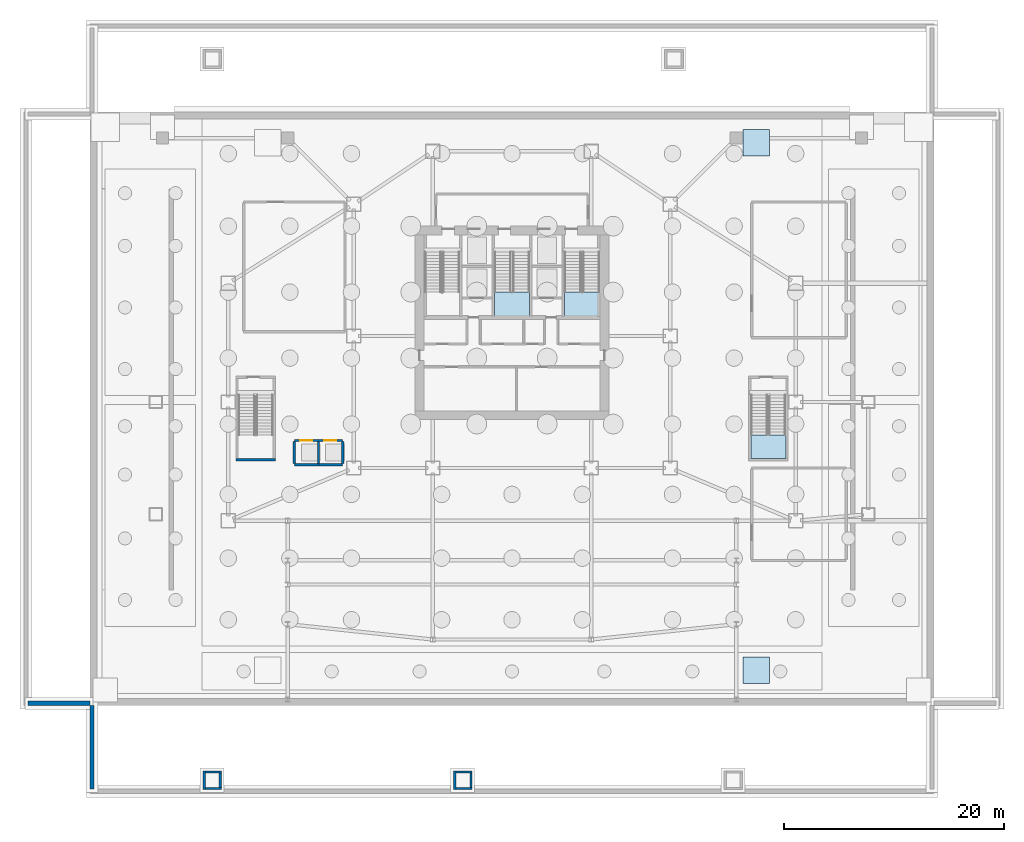
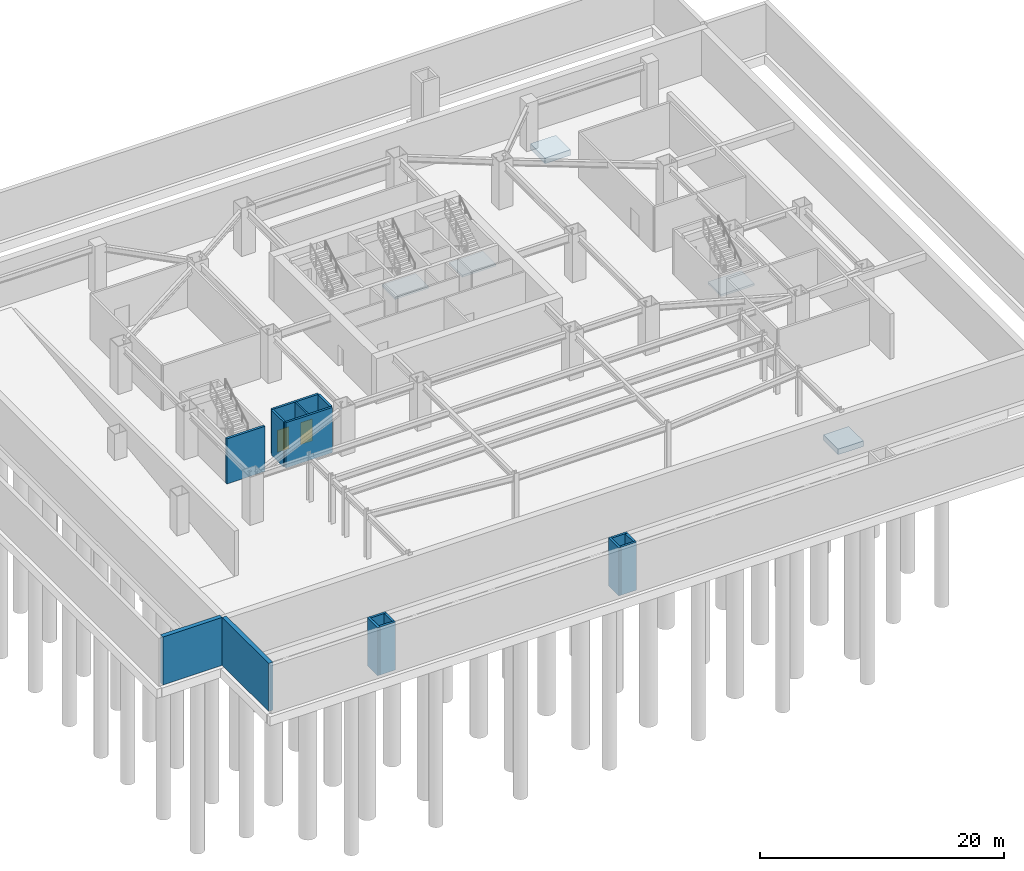
# One storey, part 6 of 15: 16 walls, 5 slabs, 2 doors, 2 openings, 3 elements without a shape of their own.
"""IFC4 building model written with IfcOpenShell, lengths in metres."""

from ifc_helpers import new_model, si_unit, direction, frame, frame_2d, origin, place, context, subcontext, project, spatial, polyline, rectangle, outline, extrude, material, layer, layer_set, type_object, element, fill, aggregate, save


model = new_model("IFC4")

# Units and contexts
model_context = context("Model", 3, precision=1e-05, world=origin(), true_north=direction((0.0, 1.0)))
body_context = subcontext(model_context, "Body", "Model", "MODEL_VIEW")
ifc_project = project(units=[si_unit("LENGTHUNIT", "METRE"), si_unit("AREAUNIT", "SQUARE_METRE"), si_unit("VOLUMEUNIT", "CUBIC_METRE"), si_unit("PLANEANGLEUNIT", "RADIAN"), si_unit("MASSUNIT", "GRAM", prefix="KILO")], contexts=[model_context])

# Site, building, storey
site_placement = place(None, origin())
site = spatial("IfcSite", under=ifc_project, at=site_placement, CompositionType="ELEMENT")
building_placement = place(site_placement, origin())
building = spatial("IfcBuilding", under=site, at=building_placement, Name="Haolan Belvedere Tower", CompositionType="ELEMENT")
storey_placement = place(building_placement, frame((0.0, 0.0, -9.60009765625)))
storey = spatial("IfcBuildingStorey", under=building, at=storey_placement, Name="B2", CompositionType="ELEMENT", Elevation=-9.60009765625)

# Stair, slab
ifc_material_1 = material(Name="Concrete C40/50", Category="concrete")
stair_type = type_object("IfcStairType", Name="STR-DL-28R-171", PredefinedType="HALF_TURN_STAIR", material=ifc_material_1)
stair_1_placement = place(storey_placement, origin())
stair_1 = element("IfcStair", 1, at=stair_1_placement, inside=storey, type_object=stair_type, Name="B2 Smokeproof Core Exit Stair ST3", PredefinedType="HALF_TURN_STAIR")
ifc_layer_1 = layer(ifc_material_1, 0.199951171875, Name="Concrete C40/50")
ifc_layer_set_1 = layer_set([ifc_layer_1], Name="Concrete C40/50")
slab_type_1 = type_object("IfcSlabType", Name="SL-LAND-200", PredefinedType="LANDING", material=ifc_layer_set_1)
slab_1_placement = place(storey_placement, frame((0.0, 0.0, 2.2001953125)))
slab_1 = element("IfcSlab", 2, at=slab_1_placement, type_object=slab_type_1, Name="ST3 landing 1", PredefinedType="LANDING", context=body_context, shape_type="SweptSolid", body=[
    extrude(outline(polyline([(36.81005859375, 37.590087890625), (36.81005859375, 35.449951171875), (39.989990234375, 35.449951171875), (39.989990234375, 37.590087890625), (36.81005859375, 37.590087890625)])), origin(), (0.0, 0.0, 1.0), 0.199951171875),
])
aggregate(stair_1, [slab_1])

stair_2_placement = place(storey_placement, origin())
stair_2 = element("IfcStair", 3, at=stair_2_placement, inside=storey, type_object=stair_type, Name="B2 Smokeproof Core Exit Stair ST2", PredefinedType="HALF_TURN_STAIR")
slab_2_placement = place(storey_placement, frame((0.0, 0.0, 2.2001953125)))
slab_2 = element("IfcSlab", 4, at=slab_2_placement, type_object=slab_type_1, Name="ST2 landing 1", PredefinedType="LANDING", context=body_context, shape_type="SweptSolid", body=[
    extrude(outline(polyline([(43.169921875, 37.590087890625), (43.169921875, 35.449951171875), (46.35009765625, 35.449951171875), (46.35009765625, 37.590087890625), (43.169921875, 37.590087890625)])), origin(), (0.0, 0.0, 1.0), 0.199951171875),
])
aggregate(stair_2, [slab_2])

stair_3_placement = place(storey_placement, origin())
stair_3 = element("IfcStair", 5, at=stair_3_placement, inside=storey, type_object=stair_type, Name="B2 East Podium Protected Exit Stair ST5", PredefinedType="HALF_TURN_STAIR")
slab_3_placement = place(storey_placement, frame((0.0, 0.0, 2.2001953125)))
slab_3 = element("IfcSlab", 6, at=slab_3_placement, type_object=slab_type_1, Name="ST5 landing 1", PredefinedType="LANDING", context=body_context, shape_type="SweptSolid", body=[
    extrude(outline(polyline([(60.1201171875, 24.590087890625), (60.1201171875, 22.449951171875), (63.300048828125, 22.449951171875), (63.300048828125, 24.590087890625), (60.1201171875, 24.590087890625)])), origin(), (0.0, 0.0, 1.0), 0.199951171875),
])
aggregate(stair_3, [slab_3])

# Slabs
ifc_material_2 = material(Name="Concrete C50/60", Category="concrete")
ifc_layer_2 = layer(ifc_material_2, 0.550048828125, Name="Concrete C50/60")
ifc_layer_set_2 = layer_set([ifc_layer_2], Name="Concrete C50/60")
slab_type_2 = type_object("IfcSlabType", Name="SL-SUMP-550", PredefinedType="BASESLAB", material=ifc_layer_set_2)
slab_4_placement = place(storey_placement, frame((0.0, 0.0, -0.949951171875)))
element("IfcSlab", 7, at=slab_4_placement, inside=storey, type_object=slab_type_2, Name="B2 drainage sump base slab SUMP-B2-2", PredefinedType="BASESLAB", context=body_context, shape_type="SweptSolid", body=[
    extrude(outline(polyline([(59.39990234375, 2.0), (61.800048828125, 2.0), (61.800048828125, 4.39990234375), (59.39990234375, 4.39990234375), (59.39990234375, 2.0)])), origin(), (0.0, 0.0, 1.0), 0.550048828125),
])
slab_5_placement = place(storey_placement, frame((0.0, 0.0, -0.949951171875)))
element("IfcSlab", 8, at=slab_5_placement, inside=storey, type_object=slab_type_2, Name="B2 drainage sump base slab SUMP-B2-4", PredefinedType="BASESLAB", context=body_context, shape_type="SweptSolid", body=[
    extrude(outline(polyline([(59.39990234375, 50.0), (61.800048828125, 50.0), (61.800048828125, 52.39990234375), (59.39990234375, 52.39990234375), (59.39990234375, 50.0)])), origin(), (0.0, 0.0, 1.0), 0.550048828125),
])

# Walls
ifc_layer_3 = layer(ifc_material_2, 0.39990234375, Name="Concrete C50/60")
ifc_layer_set_3 = layer_set([ifc_layer_3], Name="Concrete C50/60")
wall_type_1 = type_object("IfcWallType", Name="WL-RMP-400", PredefinedType="SOLIDWALL", material=ifc_layer_set_3)
wall_1_placement = place(storey_placement, frame((0.199951171875, -7.60009765625, 0.0), z_axis=(0.0, 0.0, 1.0), x_axis=(0.0, 1.0, 0.0)))
element("IfcWall", 9, at=wall_1_placement, inside=storey, type_object=wall_type_1, Name="B2 apron foundation wall APW-S-W", PredefinedType="SOLIDWALL", context=body_context, shape_type="SweptSolid", body=[
    extrude(rectangle(XDim=7.60009765625, YDim=0.39990234375, at=frame_2d((3.800048828125, 0.0))), origin(), (0.0, 0.0, 1.0), 4.800048828125),
])
wall_2_placement = place(storey_placement, frame((-5.60009765625, 0.199951171875, 0.0), z_axis=(0.0, 0.0, 1.0), x_axis=(1.0, 0.0, 0.0)))
element("IfcWall", 10, at=wall_2_placement, inside=storey, type_object=wall_type_1, Name="B2 apron foundation wall APW-W-S", PredefinedType="SOLIDWALL", context=body_context, shape_type="SweptSolid", body=[
    extrude(rectangle(XDim=5.60009765625, YDim=0.39990234375, at=frame_2d((2.800048828125, 0.0))), origin(), (0.0, 0.0, 1.0), 4.800048828125),
])
ifc_material_3 = material(Name="Gypsum fire shaftwall assembly", Category="masonry")
ifc_layer_4 = layer(ifc_material_3, 0.1650390625, Name="Gypsum fire shaftwall assembly")
ifc_layer_set_4 = layer_set([ifc_layer_4], Name="Gypsum fire shaftwall assembly")
wall_type_2 = type_object("IfcWallType", Name="WL-SHAFT-160", PredefinedType="SOLIDWALL", material=ifc_layer_set_4)
wall_3_placement = place(storey_placement, frame((20.800048828125, 22.0, 0.0), z_axis=(0.0, 0.0, 1.0), x_axis=(0.0, 1.0, 0.0)))
element("IfcWall", 11, at=wall_3_placement, inside=storey, type_object=wall_type_2, Name="B2 interior partition IW-B2-PB-M", PredefinedType="SOLIDWALL", context=body_context, shape_type="SweptSolid", body=[
    extrude(rectangle(XDim=2.0, YDim=0.159912109375, at=frame_2d((1.0, 0.0))), origin(), (0.0, 0.0, 1.0), 4.52001953125),
])

# Wall, openings, doors
ifc_material_4 = material(Name="Precast concrete C40/50", Category="concrete")
ifc_layer_5 = layer(ifc_material_4, 0.205078125, Name="Precast concrete C40/50")
ifc_layer_set_5 = layer_set([ifc_layer_5], Name="Precast concrete C40/50")
wall_type_3 = type_object("IfcWallType", Name="WL-SHAFT-200", PredefinedType="SOLIDWALL", material=ifc_layer_set_5)
wall_4_placement = place(storey_placement, frame((18.60009765625, 24.10009765625, 0.0), z_axis=(0.0, 0.0, 1.0), x_axis=(1.0, 0.0, 0.0)))
wall_4 = element("IfcWall", 12, at=wall_4_placement, inside=storey, type_object=wall_type_3, Name="B2 interior partition IW-B2-PB-N", PredefinedType="SOLIDWALL", context=body_context, shape_type="SweptSolid", body=[
    extrude(rectangle(XDim=4.39990234375, YDim=0.199951171875, at=frame_2d((2.199951171875, 0.0))), origin(), (0.0, 0.0, 1.0), 4.52001953125),
])
opening_1_placement = place(wall_4_placement, frame((0.52001953125, 0.0, 0.0)))
opening_1 = element("IfcOpeningElement", 13, at=opening_1_placement, cuts=wall_4, Name="Opening LD-01", PredefinedType="OPENING", context=body_context, shape_type="SweptSolid", body=[
    extrude(rectangle(XDim=1.10009765625, YDim=2.199951171875, at=frame_2d((0.550048828125, 1.10009765625))), frame((0.0, 0.10986328125, 0.0), z_axis=(0.0, -1.0, 0.0), x_axis=(1.0, 0.0, 0.0)), (0.0, 0.0, 1.0), 0.219970703125),
])
opening_2_placement = place(wall_4_placement, frame((2.719970703125, 0.0, 0.0)))
opening_2 = element("IfcOpeningElement", 14, at=opening_2_placement, cuts=wall_4, Name="Opening LD-01", PredefinedType="OPENING", context=body_context, shape_type="SweptSolid", body=[
    extrude(rectangle(XDim=1.10009765625, YDim=2.199951171875, at=frame_2d((0.550048828125, 1.10009765625))), frame((0.0, 0.10986328125, 0.0), z_axis=(0.0, -1.0, 0.0), x_axis=(1.0, 0.0, 0.0)), (0.0, 0.0, 1.0), 0.219970703125),
])
ifc_material_5 = material(Name="Brushed champagne stainless steel 316L", Category="steel")
door_type = type_object("IfcDoorType", Name="DR-LIFT-1100", OperationType="SLIDING_TO_LEFT", PredefinedType="DOOR", material=ifc_material_5)
door_1_placement = place(opening_1_placement, origin())
door_1 = element("IfcDoor", 15, at=door_1_placement, inside=storey, type_object=door_type, Name="B2 door ID-B2-LD-PB1", OperationType="SLIDING_TO_LEFT", OverallHeight=2.199951171875, OverallWidth=1.10009765625, PredefinedType="DOOR", context=body_context, shape_type="SweptSolid", body=[
    extrude(rectangle(XDim=1.10009765625, YDim=2.199951171875, at=frame_2d((0.550048828125, 1.10009765625))), frame((0.0, 0.02490234375, 0.0), z_axis=(0.0, -1.0, 0.0), x_axis=(1.0, 0.0, 0.0)), (0.0, 0.0, 1.0), 0.050048828125),
])
fill(opening_1, door_1)
door_2_placement = place(opening_2_placement, origin())
door_2 = element("IfcDoor", 16, at=door_2_placement, inside=storey, type_object=door_type, Name="B2 door ID-B2-LD-PB2", OperationType="SLIDING_TO_LEFT", OverallHeight=2.199951171875, OverallWidth=1.10009765625, PredefinedType="DOOR", context=body_context, shape_type="SweptSolid", body=[
    extrude(rectangle(XDim=1.10009765625, YDim=2.199951171875, at=frame_2d((0.550048828125, 1.10009765625))), frame((0.0, 0.02490234375, 0.0), z_axis=(0.0, -1.0, 0.0), x_axis=(1.0, 0.0, 0.0)), (0.0, 0.0, 1.0), 0.050048828125),
])
fill(opening_2, door_2)

# Walls
wall_5_placement = place(storey_placement, frame((18.60009765625, 21.89990234375, 0.0), z_axis=(0.0, 0.0, 1.0), x_axis=(1.0, 0.0, 0.0)))
element("IfcWall", 17, at=wall_5_placement, inside=storey, type_object=wall_type_3, Name="B2 interior partition IW-B2-PB-S", PredefinedType="SOLIDWALL", context=body_context, shape_type="SweptSolid", body=[
    extrude(rectangle(XDim=4.39990234375, YDim=0.199951171875, at=frame_2d((2.199951171875, 0.0))), origin(), (0.0, 0.0, 1.0), 4.52001953125),
])
for number, where, z_axis, x_axis, name in (
    (18, (18.60009765625, 22.0, 0.0), (0.0, 0.0, 1.0), (0.0, 1.0, 0.0), "B2 interior partition IW-B2-PB-W"),
    (19, (23.0, 22.0, 0.0), (0.0, 0.0, 1.0), (0.0, 1.0, 0.0), "B2 interior partition IW-B2-PB-E"),
):
    element("IfcWall", number, at=place(storey_placement, frame(where, z_axis=z_axis, x_axis=x_axis)), inside=storey, type_object=wall_type_3, Name=name, PredefinedType="SOLIDWALL", context=body_context, shape_type="SweptSolid", body=[
        extrude(rectangle(XDim=2.0, YDim=0.199951171875, at=frame_2d((1.0, 0.0))), origin(), (0.0, 0.0, 1.0), 4.52001953125),
    ])
ifc_layer_6 = layer(ifc_material_2, 0.219970703125, Name="Concrete C50/60")
ifc_layer_set_6 = layer_set([ifc_layer_6], Name="Concrete C50/60")
wall_type_4 = type_object("IfcWallType", Name="WL-STAIR-220", PredefinedType="SHEAR", material=ifc_layer_set_6)
wall_6_placement = place(storey_placement, frame((13.280029296875, 22.340087890625, 0.0), z_axis=(0.0, 0.0, 1.0), x_axis=(1.0, 0.0, 0.0)))
element("IfcWall", 20, at=wall_6_placement, inside=storey, type_object=wall_type_4, Name="B2 podium stair ST4 structural shaft wall S", PredefinedType="SHEAR", context=body_context, shape_type="SweptSolid", body=[
    extrude(rectangle(XDim=3.619873046875, YDim=0.219970703125, at=frame_2d((1.81005859375, 0.0))), origin(), (0.0, 0.0, 1.0), 4.52001953125),
])
wall_7_placement = place(storey_placement, frame((10.39990234375, -7.659912109375, 0.0), z_axis=(0.0, 0.0, 1.0), x_axis=(0.0, 1.0, 0.0)))
element("IfcWall", 21, at=wall_7_placement, inside=storey, type_object=wall_type_4, Name="South-west plaza step-free accessible ramp AR-1 foundation stem wall B2 W", PredefinedType="SHEAR", context=body_context, shape_type="SweptSolid", body=[
    extrude(rectangle(XDim=1.719970703125, YDim=0.219970703125, at=frame_2d((0.85986328125, 0.0))), origin(), (0.0, 0.0, 1.0), 4.800048828125),
])
for number, where, z_axis, x_axis, name in (
    (22, (10.510009765625, -6.050048828125, 0.0), (0.0, 0.0, 1.0), (1.0, 0.0, 0.0), "South-west plaza step-free accessible ramp AR-1 foundation stem wall B2 N"),
    (23, (10.510009765625, -7.550048828125, 0.0), (0.0, 0.0, 1.0), (1.0, 0.0, 0.0), "South-west plaza step-free accessible ramp AR-1 foundation stem wall B2 S"),
):
    element("IfcWall", number, at=place(storey_placement, frame(where, z_axis=z_axis, x_axis=x_axis)), inside=storey, type_object=wall_type_4, Name=name, PredefinedType="SHEAR", context=body_context, shape_type="SweptSolid", body=[
        extrude(rectangle(XDim=1.469970703125, YDim=0.219970703125, at=frame_2d((0.73486328125, 0.0))), origin(), (0.0, 0.0, 1.0), 4.800048828125),
    ])
wall_8_placement = place(storey_placement, frame((11.8701171875, -7.43994140625, 0.0), z_axis=(0.0, 0.0, 1.0), x_axis=(0.0, 1.0, 0.0)))
element("IfcWall", 24, at=wall_8_placement, inside=storey, type_object=wall_type_4, Name="South-west plaza step-free accessible ramp AR-1 foundation stem wall B2 E", PredefinedType="SHEAR", context=body_context, shape_type="SweptSolid", body=[
    extrude(rectangle(XDim=1.280029296875, YDim=0.219970703125, at=frame_2d((0.64013671875, 0.0))), origin(), (0.0, 0.0, 1.0), 4.800048828125),
])
wall_9_placement = place(storey_placement, frame((33.199951171875, -7.659912109375, 0.0), z_axis=(0.0, 0.0, 1.0), x_axis=(0.0, 1.0, 0.0)))
element("IfcWall", 25, at=wall_9_placement, inside=storey, type_object=wall_type_4, Name="South central arrival plaza step-free accessible ramp AR-5 foundation stem wall B2 W", PredefinedType="SHEAR", context=body_context, shape_type="SweptSolid", body=[
    extrude(rectangle(XDim=1.719970703125, YDim=0.219970703125, at=frame_2d((0.85986328125, 0.0))), origin(), (0.0, 0.0, 1.0), 4.800048828125),
])
for number, where, z_axis, x_axis, name in (
    (26, (33.31005859375, -6.050048828125, 0.0), (0.0, 0.0, 1.0), (1.0, 0.0, 0.0), "South central arrival plaza step-free accessible ramp AR-5 foundation stem wall B2 N"),
    (27, (33.31005859375, -7.550048828125, 0.0), (0.0, 0.0, 1.0), (1.0, 0.0, 0.0), "South central arrival plaza step-free accessible ramp AR-5 foundation stem wall B2 S"),
):
    element("IfcWall", number, at=place(storey_placement, frame(where, z_axis=z_axis, x_axis=x_axis)), inside=storey, type_object=wall_type_4, Name=name, PredefinedType="SHEAR", context=body_context, shape_type="SweptSolid", body=[
        extrude(rectangle(XDim=1.469970703125, YDim=0.219970703125, at=frame_2d((0.73486328125, 0.0))), origin(), (0.0, 0.0, 1.0), 4.800048828125),
    ])
wall_10_placement = place(storey_placement, frame((34.669921875, -7.43994140625, 0.0), z_axis=(0.0, 0.0, 1.0), x_axis=(0.0, 1.0, 0.0)))
element("IfcWall", 28, at=wall_10_placement, inside=storey, type_object=wall_type_4, Name="South central arrival plaza step-free accessible ramp AR-5 foundation stem wall B2 E", PredefinedType="SHEAR", context=body_context, shape_type="SweptSolid", body=[
    extrude(rectangle(XDim=1.280029296875, YDim=0.219970703125, at=frame_2d((0.64013671875, 0.0))), origin(), (0.0, 0.0, 1.0), 4.800048828125),
])

save(model, "model.ifc")
